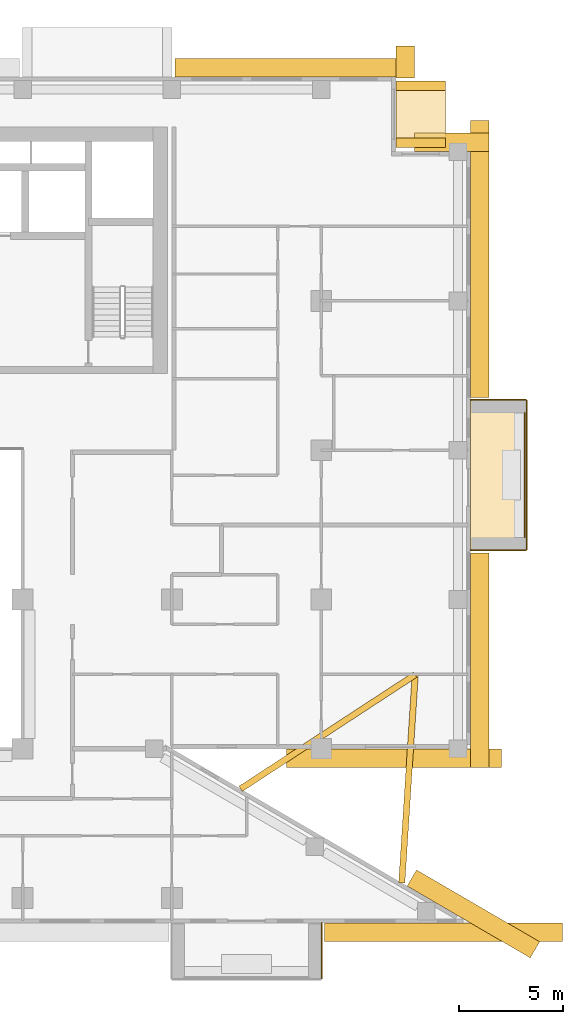
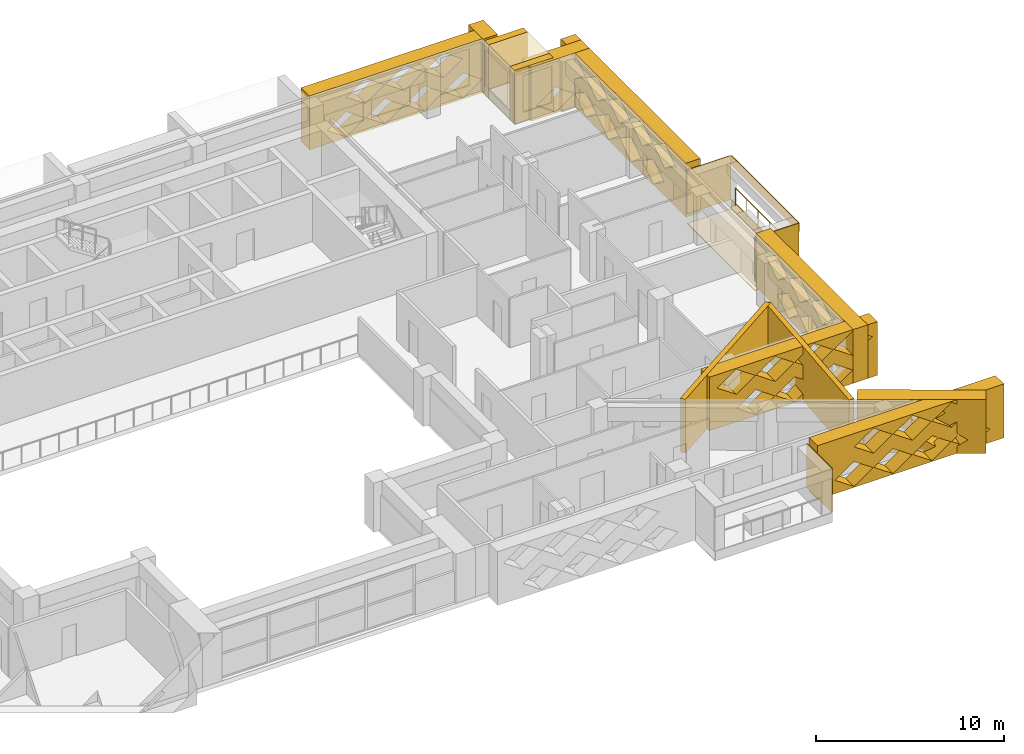
# One storey, part 20 of 20: 20 coverings, 1 railing.
"""IFC4 building model written with IfcOpenShell, lengths in metres."""

from ifc_helpers import new_model, si_unit, direction, frame, origin, origin_2d, place, context, subcontext, project, spatial, polyline, circle, outline, extrude, material, layer, layer_set, type_object, element, save


model = new_model("IFC4")

# Units and contexts
model_context = context("Model", 3, precision=1e-05, world=origin(), true_north=direction((0.0, 1.0)))
body_context = subcontext(model_context, "Body", "Model", "MODEL_VIEW")
ifc_project = project(units=[si_unit("LENGTHUNIT", "METRE"), si_unit("AREAUNIT", "SQUARE_METRE"), si_unit("VOLUMEUNIT", "CUBIC_METRE"), si_unit("PLANEANGLEUNIT", "RADIAN"), si_unit("MASSUNIT", "GRAM", prefix="KILO")], contexts=[model_context])

# Site, building, storey
site_placement = place(None, origin())
site = spatial("IfcSite", under=ifc_project, at=site_placement, CompositionType="ELEMENT")
building_placement = place(site_placement, origin())
building = spatial("IfcBuilding", under=site, at=building_placement, Name="Saffron Iwan Residences", CompositionType="ELEMENT")
storey_placement = place(building_placement, frame((0.0, 0.0, 150.0)))
storey = spatial("IfcBuildingStorey", under=building, at=storey_placement, Name="L39", CompositionType="ELEMENT", Elevation=150.0)

# Railing
ifc_material_1 = material(Name="Stainless steel 316", Category="steel")
railing_type = type_object("IfcRailingType", Name="BALCONY GUARD 1150", PredefinedType="GUARDRAIL", material=ifc_material_1)
railing_placement = place(storey_placement, frame((89.02490234375, 58.199951171875, 0.0)))
element("IfcRailing", 1, at=railing_placement, inside=storey, type_object=railing_type, Name="Balcony guard L39 F2-0", PredefinedType="GUARDRAIL", context=body_context, shape_type="SweptSolid", body=[
    extrude(circle(Radius=0.02392578125, at=origin_2d()), frame((0.0, 0.0, 1.1259765625), z_axis=(0.0, 1.0, 0.0), x_axis=(-1.0, 0.0, 0.0)), (0.0, 0.0, 1.0), 6.0),
    extrude(circle(Radius=0.02099609375, at=origin_2d()), origin(), (0.0, 0.0, 1.0), 1.101806640625),
    extrude(circle(Radius=0.02099609375, at=origin_2d()), frame((0.0, 1.199951171875, 0.0)), (0.0, 0.0, 1.0), 1.101806640625),
    extrude(circle(Radius=0.02099609375, at=origin_2d()), frame((0.0, 2.39990234375, 0.0)), (0.0, 0.0, 1.0), 1.101806640625),
    extrude(circle(Radius=0.02099609375, at=origin_2d()), frame((0.0, 3.60009765625, 0.0)), (0.0, 0.0, 1.0), 1.101806640625),
    extrude(circle(Radius=0.02099609375, at=origin_2d()), frame((0.0, 4.800048828125, 0.0)), (0.0, 0.0, 1.0), 1.101806640625),
    extrude(circle(Radius=0.02099609375, at=origin_2d()), frame((0.0, 6.0, 0.0)), (0.0, 0.0, 1.0), 1.101806640625),
])

# Coverings
ifc_material_2 = material(Name="Precast concrete C40/50 white painted", Category="concrete")
ifc_layer_1 = layer(ifc_material_2, 0.050048828125)
ifc_layer_set_1 = layer_set([ifc_layer_1], Name="Precast concrete C40/50 white painted")
covering_type_1 = type_object("IfcCoveringType", Name="FRAME SKIN PRECAST WHITE 50", PredefinedType="CLADDING", material=ifc_layer_set_1)
for number, where, name in (
    (2, (0.0, 0.0, -0.60009765625), "Frame skin slab edge L39 F2-0"),
    (3, (0.0, 0.0, 2.25), "Frame skin fascia L39 F2-0"),
):
    element("IfcCovering", number, at=place(storey_placement, frame(where)), inside=storey, type_object=covering_type_1, Name=name, PredefinedType="CLADDING", context=body_context, shape_type="SweptSolid", body=[
        extrude(outline(polyline([(89.14990234375, 57.60009765625), (89.14990234375, 64.800048828125), (89.10009765625, 64.800048828125), (89.10009765625, 57.60009765625), (89.14990234375, 57.60009765625)])), origin(), (0.0, 0.0, 1.0), 0.60009765625),
    ])
covering_1_placement = place(storey_placement, frame((0.0, 0.0, -0.64990234375)))
element("IfcCovering", 4, at=covering_1_placement, inside=storey, type_object=covering_type_1, Name="Frame skin soffit L39 F2-0", PredefinedType="CLADDING", context=body_context, shape_type="SweptSolid", body=[
    extrude(outline(polyline([(89.10009765625, 57.60009765625), (89.10009765625, 64.800048828125), (86.39990234375, 64.800048828125), (86.39990234375, 57.60009765625), (89.10009765625, 57.60009765625)])), origin(), (0.0, 0.0, 1.0), 0.0498046875),
])
covering_2_placement = place(storey_placement, origin())
element("IfcCovering", 5, at=covering_2_placement, inside=storey, type_object=covering_type_1, Name="Frame skin fin L39 F2-0a", PredefinedType="CLADDING", context=body_context, shape_type="SweptSolid", body=[
    extrude(outline(polyline([(89.10009765625, 57.550048828125), (89.10009765625, 57.60009765625), (86.39990234375, 57.60009765625), (86.39990234375, 57.550048828125), (89.10009765625, 57.550048828125)])), origin(), (0.0, 0.0, 1.0), 2.85009765625),
])
covering_3_placement = place(storey_placement, origin())
element("IfcCovering", 6, at=covering_3_placement, inside=storey, type_object=covering_type_1, Name="Frame skin fin L39 F2-0b", PredefinedType="CLADDING", context=body_context, shape_type="SweptSolid", body=[
    extrude(outline(polyline([(89.10009765625, 64.800048828125), (89.10009765625, 64.85009765625), (86.39990234375, 64.85009765625), (86.39990234375, 64.800048828125), (89.10009765625, 64.800048828125)])), origin(), (0.0, 0.0, 1.0), 2.85009765625),
])
covering_4_placement = place(storey_placement, origin())
element("IfcCovering", 7, at=covering_4_placement, inside=storey, type_object=covering_type_1, Name="Frame skin fin L39 11-1b", PredefinedType="CLADDING", context=body_context, shape_type="SweptSolid", body=[
    extrude(outline(polyline([(79.199951171875, 36.89990234375), (79.25, 36.89990234375), (79.25, 39.60009765625), (79.199951171875, 39.60009765625), (79.199951171875, 36.89990234375)])), origin(), (0.0, 0.0, 1.0), 2.85009765625),
])
ifc_material_3 = material(Name="Precast concrete C40/50", Category="concrete")
covering_type_2 = type_object("IfcCoveringType", Name="OUTER SKIN LATTICE SCREEN", PredefinedType="CLADDING", material=ifc_material_3)
covering_5_placement = place(storey_placement, frame((89.283935546875, 37.917724609375, -0.300048828125), z_axis=(0.503803550485, 0.863818257806, 0.0), x_axis=(-0.863818257806, 0.503803550485, 0.0)))
element("IfcCovering", 8, at=covering_5_placement, inside=storey, type_object=covering_type_2, Name="OUTER SKIN lattice screen L39 F0.0", PredefinedType="CLADDING", context=body_context, shape_type="SweptSolid", body=[
    extrude(outline(polyline([(0.0, 0.0), (6.874267578125, 0.0), (6.874267578125, 3.5), (0.0, 3.5), (0.0, 0.0)]), holes=[polyline([(0.958740234375, 0.875), (2.138671875, 0.06005859375), (3.318603515625, 0.875), (2.138671875, 1.68994140625), (0.958740234375, 0.875)]), polyline([(3.358642578125, 0.875), (4.538818359375, 0.06005859375), (5.71875, 0.875), (4.538818359375, 1.68994140625), (3.358642578125, 0.875)]), polyline([(2.15869140625, 2.625), (3.338623046875, 1.81005859375), (4.518798828125, 2.625), (3.338623046875, 3.43994140625), (2.15869140625, 2.625)])]), origin(), (0.0, 0.0, 1.0), 0.89990234375),
])
covering_6_placement = place(storey_placement, frame((77.538818359375, 48.0, -0.300048828125), z_axis=(0.0, -1.0, 0.0), x_axis=(1.0, 0.0, 0.0)))
element("IfcCovering", 9, at=covering_6_placement, inside=storey, type_object=covering_type_2, Name="OUTER SKIN lattice screen L39 F1.0", PredefinedType="CLADDING", context=body_context, shape_type="SweptSolid", body=[
    extrude(outline(polyline([(0.0, 0.0), (10.361328125, 0.0), (10.361328125, 3.5), (0.0, 3.5), (0.0, 0.0)]), holes=[polyline([(1.681396484375, 0.875), (2.861328125, 0.06005859375), (4.041259765625, 0.875), (2.861328125, 1.68994140625), (1.681396484375, 0.875)]), polyline([(4.081298828125, 0.875), (5.26123046875, 0.06005859375), (6.44140625, 0.875), (5.26123046875, 1.68994140625), (4.081298828125, 0.875)]), polyline([(6.481201171875, 0.875), (7.661376953125, 0.06005859375), (8.84130859375, 0.875), (7.661376953125, 1.68994140625), (6.481201171875, 0.875)]), polyline([(0.481201171875, 2.625), (1.661376953125, 1.81005859375), (2.84130859375, 2.625), (1.661376953125, 3.43994140625), (0.481201171875, 2.625)]), polyline([(2.88134765625, 2.625), (4.061279296875, 1.81005859375), (5.2412109375, 2.625), (4.061279296875, 3.43994140625), (2.88134765625, 2.625)]), polyline([(5.28125, 2.625), (6.461181640625, 1.81005859375), (7.641357421875, 2.625), (6.461181640625, 3.43994140625), (5.28125, 2.625)]), polyline([(7.681396484375, 2.625), (8.861328125, 1.81005859375), (10.041259765625, 2.625), (8.861328125, 3.43994140625), (7.681396484375, 2.625)])]), origin(), (0.0, 0.0, 1.0), 0.89990234375),
])
covering_7_placement = place(storey_placement, frame((86.39990234375, 47.10009765625, -0.300048828125), z_axis=(1.0, 0.0, 0.0), x_axis=(0.0, 1.0, 0.0)))
element("IfcCovering", 10, at=covering_7_placement, inside=storey, type_object=covering_type_2, Name="OUTER SKIN lattice screen L39 F2.0", PredefinedType="CLADDING", context=body_context, shape_type="SweptSolid", body=[
    extrude(outline(polyline([(0.0, 0.0), (10.35009765625, 0.0), (10.35009765625, 3.5), (0.0, 3.5), (0.0, 0.0)]), holes=[polyline([(0.919921875, 0.875), (2.10009765625, 0.06005859375), (3.280029296875, 0.875), (2.10009765625, 1.68994140625), (0.919921875, 0.875)]), polyline([(3.320068359375, 0.875), (4.5, 0.06005859375), (5.679931640625, 0.875), (4.5, 1.68994140625), (3.320068359375, 0.875)]), polyline([(5.719970703125, 0.875), (6.89990234375, 0.06005859375), (8.080078125, 0.875), (6.89990234375, 1.68994140625), (5.719970703125, 0.875)]), polyline([(2.1201171875, 2.625), (3.300048828125, 1.81005859375), (4.47998046875, 2.625), (3.300048828125, 3.43994140625), (2.1201171875, 2.625)]), polyline([(4.52001953125, 2.625), (5.699951171875, 1.81005859375), (6.8798828125, 2.625), (5.699951171875, 3.43994140625), (4.52001953125, 2.625)]), polyline([(6.919921875, 2.625), (8.10009765625, 1.81005859375), (9.280029296875, 2.625), (8.10009765625, 3.43994140625), (6.919921875, 2.625)])]), origin(), (0.0, 0.0, 1.0), 0.900146484375),
])
covering_8_placement = place(storey_placement, frame((86.39990234375, 64.949951171875, -0.300048828125), z_axis=(1.0, 0.0, 0.0), x_axis=(0.0, 1.0, 0.0)))
element("IfcCovering", 11, at=covering_8_placement, inside=storey, type_object=covering_type_2, Name="OUTER SKIN lattice screen L39 F2.1", PredefinedType="CLADDING", context=body_context, shape_type="SweptSolid", body=[
    extrude(outline(polyline([(0.0, 0.0), (13.35009765625, 0.0), (13.35009765625, 3.5), (0.0, 3.5), (0.0, 0.0)]), holes=[polyline([(2.27001953125, 0.875), (3.449951171875, 0.06005859375), (4.6298828125, 0.875), (3.449951171875, 1.68994140625), (2.27001953125, 0.875)]), polyline([(4.669921875, 0.875), (5.85009765625, 0.06005859375), (7.030029296875, 0.875), (5.85009765625, 1.68994140625), (4.669921875, 0.875)]), polyline([(7.070068359375, 0.875), (8.25, 0.06005859375), (9.429931640625, 0.875), (8.25, 1.68994140625), (7.070068359375, 0.875)]), polyline([(9.469970703125, 0.875), (10.64990234375, 0.06005859375), (11.830078125, 0.875), (10.64990234375, 1.68994140625), (9.469970703125, 0.875)]), polyline([(1.070068359375, 2.625), (2.25, 1.81005859375), (3.429931640625, 2.625), (2.25, 3.43994140625), (1.070068359375, 2.625)]), polyline([(3.469970703125, 2.625), (4.64990234375, 1.81005859375), (5.830078125, 2.625), (4.64990234375, 3.43994140625), (3.469970703125, 2.625)]), polyline([(5.8701171875, 2.625), (7.050048828125, 1.81005859375), (8.22998046875, 2.625), (7.050048828125, 3.43994140625), (5.8701171875, 2.625)]), polyline([(8.27001953125, 2.625), (9.449951171875, 1.81005859375), (10.6298828125, 2.625), (9.449951171875, 3.43994140625), (8.27001953125, 2.625)]), polyline([(10.669921875, 2.625), (11.85009765625, 1.81005859375), (13.030029296875, 2.625), (11.85009765625, 3.43994140625), (10.669921875, 2.625)])]), origin(), (0.0, 0.0, 1.0), 0.900146484375),
])
covering_9_placement = place(storey_placement, frame((87.300048828125, 76.800048828125, -0.300048828125), z_axis=(0.0, 1.0, 0.0), x_axis=(-1.0, 0.0, 0.0)))
element("IfcCovering", 12, at=covering_9_placement, inside=storey, type_object=covering_type_2, Name="OUTER SKIN lattice screen L39 F3.0", PredefinedType="CLADDING", context=body_context, shape_type="SweptSolid", body=[
    extrude(outline(polyline([(0.0, 0.0), (3.60009765625, 0.0), (3.60009765625, 3.5), (0.0, 3.5), (0.0, 0.0)]), holes=[polyline([(0.919921875, 0.875), (2.10009765625, 0.06005859375), (3.280029296875, 0.875), (2.10009765625, 1.68994140625), (0.919921875, 0.875)])]), origin(), (0.0, 0.0, 1.0), 0.89990234375),
])
covering_10_placement = place(storey_placement, frame((82.800048828125, 80.35009765625, -0.300048828125), z_axis=(1.0, 0.0, 0.0), x_axis=(0.0, 1.0, 0.0)))
element("IfcCovering", 13, at=covering_10_placement, inside=storey, type_object=covering_type_2, Name="OUTER SKIN lattice screen L39 F4.0", PredefinedType="CLADDING", context=body_context, shape_type="SweptSolid", body=[
    extrude(outline(polyline([(0.0, 0.0), (1.550048828125, 0.0), (1.550048828125, 3.5), (0.0, 3.5), (0.0, 0.0)])), origin(), (0.0, 0.0, 1.0), 0.89990234375),
])
covering_11_placement = place(storey_placement, frame((83.699951171875, 80.39990234375, -0.300048828125), z_axis=(0.0, 1.0, 0.0), x_axis=(-1.0, 0.0, 0.0)))
element("IfcCovering", 14, at=covering_11_placement, inside=storey, type_object=covering_type_2, Name="OUTER SKIN lattice screen L39 F5.0", PredefinedType="CLADDING", context=body_context, shape_type="SweptSolid", body=[
    extrude(outline(polyline([(0.0, 0.0), (11.550048828125, 0.0), (11.550048828125, 3.5), (0.0, 3.5), (0.0, 0.0)]), holes=[polyline([(0.919921875, 0.875), (2.10009765625, 0.06005859375), (3.280029296875, 0.875), (2.10009765625, 1.68994140625), (0.919921875, 0.875)]), polyline([(3.320068359375, 0.875), (4.5, 0.06005859375), (5.679931640625, 0.875), (4.5, 1.68994140625), (3.320068359375, 0.875)]), polyline([(5.719970703125, 0.875), (6.89990234375, 0.06005859375), (8.080078125, 0.875), (6.89990234375, 1.68994140625), (5.719970703125, 0.875)]), polyline([(8.1201171875, 0.875), (9.300048828125, 0.06005859375), (10.47998046875, 0.875), (9.300048828125, 1.68994140625), (8.1201171875, 0.875)]), polyline([(2.1201171875, 2.625), (3.300048828125, 1.81005859375), (4.47998046875, 2.625), (3.300048828125, 3.43994140625), (2.1201171875, 2.625)]), polyline([(4.52001953125, 2.625), (5.699951171875, 1.81005859375), (6.8798828125, 2.625), (5.699951171875, 3.43994140625), (4.52001953125, 2.625)]), polyline([(6.919921875, 2.625), (8.10009765625, 1.81005859375), (9.280029296875, 2.625), (8.10009765625, 3.43994140625), (6.919921875, 2.625)])]), origin(), (0.0, 0.0, 1.0), 0.900146484375),
])
covering_12_placement = place(storey_placement, frame((79.35009765625, 39.60009765625, -0.300048828125), z_axis=(0.0, -1.0, 0.0), x_axis=(1.0, 0.0, 0.0)))
element("IfcCovering", 15, at=covering_12_placement, inside=storey, type_object=covering_type_2, Name="OUTER SKIN lattice screen L39 F11.3", PredefinedType="CLADDING", context=body_context, shape_type="SweptSolid", body=[
    extrude(outline(polyline([(0.0, 0.0), (11.48876953125, 0.0), (11.48876953125, 3.5), (0.0, 3.5), (0.0, 0.0)]), holes=[polyline([(1.070068359375, 0.875), (2.25, 0.06005859375), (3.429931640625, 0.875), (2.25, 1.68994140625), (1.070068359375, 0.875)]), polyline([(3.469970703125, 0.875), (4.64990234375, 0.06005859375), (5.830078125, 0.875), (4.64990234375, 1.68994140625), (3.469970703125, 0.875)]), polyline([(5.8701171875, 0.875), (7.050048828125, 0.06005859375), (8.22998046875, 0.875), (7.050048828125, 1.68994140625), (5.8701171875, 0.875)]), polyline([(8.27001953125, 0.875), (9.449951171875, 0.06005859375), (10.6298828125, 0.875), (9.449951171875, 1.68994140625), (8.27001953125, 0.875)]), polyline([(2.27001953125, 2.625), (3.449951171875, 1.81005859375), (4.6298828125, 2.625), (3.449951171875, 3.43994140625), (2.27001953125, 2.625)]), polyline([(4.669921875, 2.625), (5.85009765625, 1.81005859375), (7.030029296875, 2.625), (5.85009765625, 3.43994140625), (4.669921875, 2.625)]), polyline([(7.070068359375, 2.625), (8.25, 1.81005859375), (9.429931640625, 2.625), (8.25, 3.43994140625), (7.070068359375, 2.625)])]), origin(), (0.0, 0.0, 1.0), 0.900146484375),
])
ifc_layer_2 = layer(ifc_material_2, 0.300048828125)
ifc_layer_set_2 = layer_set([ifc_layer_2], Name="Precast concrete C40/50 white painted")
covering_type_3 = type_object("IfcCoveringType", Name="PROW NOSE BLADE PRECAST WHITE", PredefinedType="CLADDING", material=ifc_layer_set_2)
covering_13_placement = place(storey_placement, frame((0.0, 0.0, -0.300048828125)))
element("IfcCovering", 16, at=covering_13_placement, inside=storey, type_object=covering_type_3, Name="Prow nose blade L39 a", PredefinedType="CLADDING", context=body_context, shape_type="SweptSolid", body=[
    extrude(outline(polyline([(83.23681640625, 41.52294921875), (83.884521484375, 51.564453125), (83.585205078125, 51.583740234375), (82.937255859375, 41.542236328125), (83.23681640625, 41.52294921875)])), origin(), (0.0, 0.0, 1.0), 3.5),
])
covering_14_placement = place(storey_placement, frame((0.0, 0.0, -0.300048828125)))
element("IfcCovering", 17, at=covering_14_placement, inside=storey, type_object=covering_type_3, Name="Prow nose blade L39 b", PredefinedType="CLADDING", context=body_context, shape_type="SweptSolid", body=[
    extrude(outline(polyline([(75.39501953125, 45.94189453125), (83.81689453125, 51.448486328125), (83.65283203125, 51.69970703125), (75.23095703125, 46.193115234375), (75.39501953125, 45.94189453125)])), origin(), (0.0, 0.0, 1.0), 3.5),
])
covering_type_4 = type_object("IfcCoveringType", Name="WHITE SUN FRAME PRECAST", PredefinedType="CLADDING", material=ifc_material_2)
for number, where, z_axis, x_axis, name in (
    (18, (82.800048828125, 77.0, -0.300048828125), (1.0, 0.0, 0.0), (0.0, 1.0, 0.0), "Sun frame L39 F4 0.2a"),
    (19, (82.800048828125, 79.75, -0.300048828125), (1.0, 0.0, 0.0), (0.0, 1.0, 0.0), "Sun frame L39 F4 0.2b"),
):
    element("IfcCovering", number, at=place(storey_placement, frame(where, z_axis=z_axis, x_axis=x_axis)), inside=storey, type_object=covering_type_4, Name=name, PredefinedType="CLADDING", context=body_context, shape_type="SweptSolid", body=[
        extrude(outline(polyline([(0.0, 0.0), (0.449951171875, 0.0), (0.449951171875, 3.5), (0.0, 3.5), (0.0, 0.0)])), origin(), (0.0, 0.0, 1.0), 2.39990234375),
    ])
for number, where, z_axis, x_axis, name in (
    (20, (82.800048828125, 77.449951171875, 2.60009765625), (1.0, 0.0, 0.0), (0.0, 1.0, 0.0), "Sun frame L39 F4 0.2h"),
    (21, (82.800048828125, 77.449951171875, -0.300048828125), (1.0, 0.0, 0.0), (0.0, 1.0, 0.0), "Sun frame L39 F4 0.2s"),
):
    element("IfcCovering", number, at=place(storey_placement, frame(where, z_axis=z_axis, x_axis=x_axis)), inside=storey, type_object=covering_type_4, Name=name, PredefinedType="CLADDING", context=body_context, shape_type="SweptSolid", body=[
        extrude(outline(polyline([(0.0, 0.0), (2.300048828125, 0.0), (2.300048828125, 0.60009765625), (0.0, 0.60009765625), (0.0, 0.0)])), origin(), (0.0, 0.0, 1.0), 2.39990234375),
    ])

save(model, "model.ifc")
